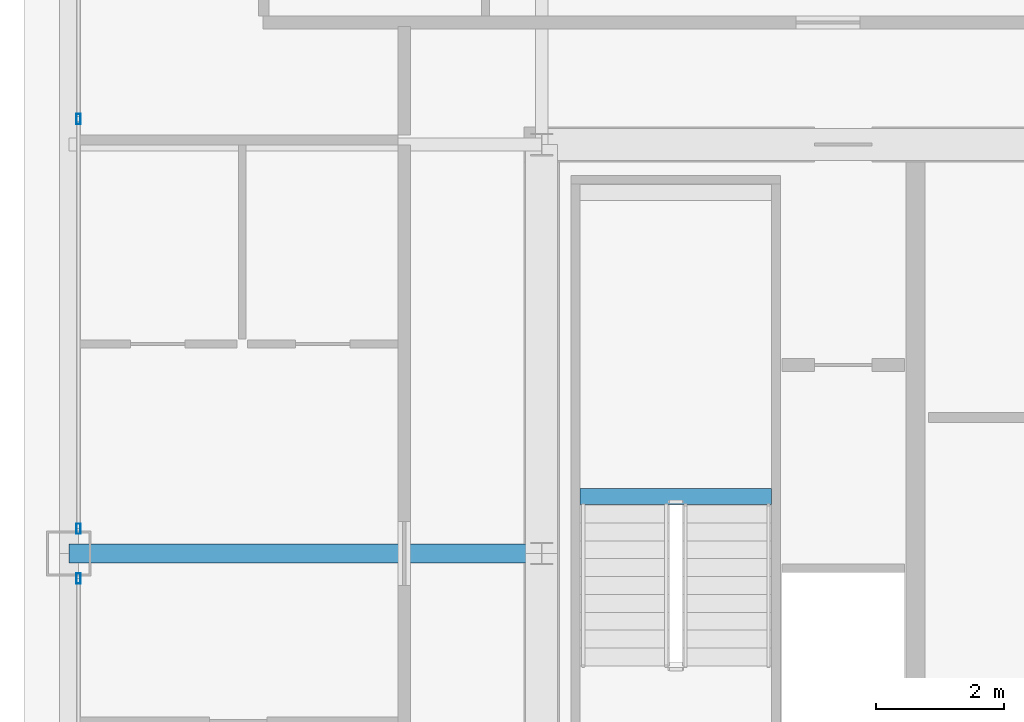
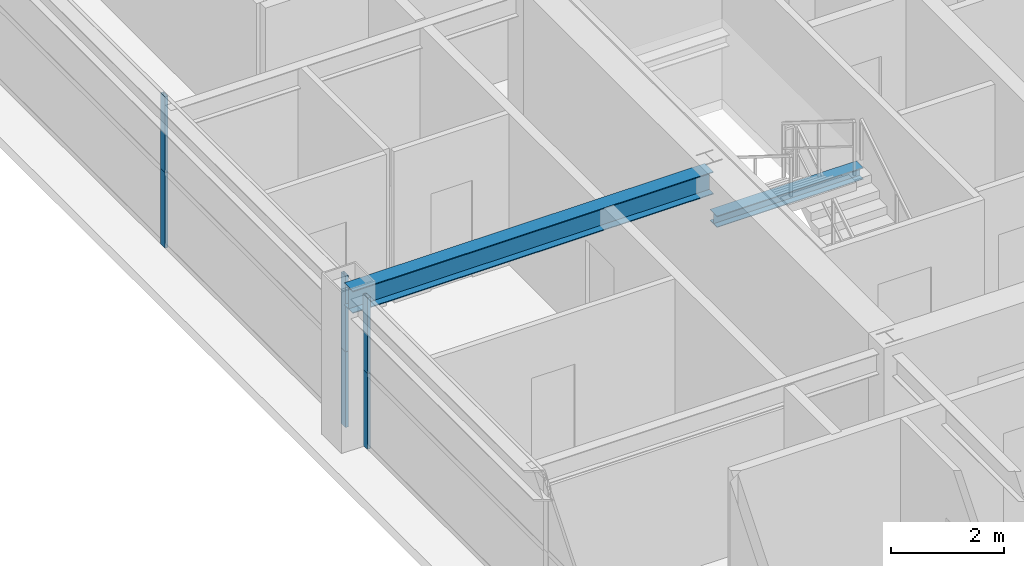
# One storey, part 14 of 37: 6 members, 2 beams, 2 elements without a shape of their own.
"""IFC4 building model written with IfcOpenShell, lengths in metres."""

from ifc_helpers import new_model, si_unit, direction, frame, origin, origin_2d, place, context, subcontext, project, spatial, hollow_rectangle, i_section, extrude, source, transform, mapped, material, layer, layer_set, material_profile, profile_set, type_object, element, aggregate, save


model = new_model("IFC4")

# Units and contexts
model_context = context("Model", 3, precision=1e-05, world=origin(), true_north=direction((0.0, 1.0)))
body_context = subcontext(model_context, "Body", "Model", "MODEL_VIEW")
ifc_project = project(units=[si_unit("LENGTHUNIT", "METRE"), si_unit("AREAUNIT", "SQUARE_METRE"), si_unit("VOLUMEUNIT", "CUBIC_METRE"), si_unit("PLANEANGLEUNIT", "RADIAN"), si_unit("MASSUNIT", "GRAM", prefix="KILO"), si_unit("THERMODYNAMICTEMPERATUREUNIT", "KELVIN"), si_unit("POWERUNIT", "WATT")], contexts=[model_context])

# Site, building, storey
site_placement = place(None, origin())
site = spatial("IfcSite", under=ifc_project, at=site_placement, CompositionType="ELEMENT")
building_placement = place(site_placement, origin())
building = spatial("IfcBuilding", under=site, at=building_placement, Name="Yuzanri Waterfront Tower", CompositionType="ELEMENT")
storey_placement = place(building_placement, frame((0.0, 0.0, 275.10009765625)))
storey = spatial("IfcBuildingStorey", under=building, at=storey_placement, Name="L73", CompositionType="ELEMENT", Elevation=275.10009765625)

# Beam
ifc_material_1 = material(Name="Steel Q355B", Category="steel")
ifc_material_profile_1 = material_profile(ifc_material_1, i_section(OverallWidth=0.300048828125, OverallDepth=0.488037109375, WebThickness=0.010986328125, FlangeThickness=0.01806640625, at=origin_2d()), Name="HM 488x300x11x18")
ifc_profile_set_1 = profile_set([ifc_material_profile_1], Name="Steel Q355B")
beam_type_1 = type_object("IfcBeamType", Name="Primary Floor Girder Q355B HM 488x300", PredefinedType="BEAM", material=ifc_profile_set_1)
shared_shape_1 = source(origin(), body_context, "Body", "SweptSolid", [
    extrude(i_section(OverallWidth=0.300048828125, OverallDepth=0.488037109375, WebThickness=0.010986328125, FlangeThickness=0.01806640625, at=origin_2d()), origin(), (0.0, 0.0, 1.0), 7.400146484375),
])
beam_1_placement = place(storey_placement, frame((23.800048828125, 25.800048828125, 3.035888671875), z_axis=(-1.0, 0.0, 0.0), x_axis=(0.0, -1.0, 0.0)))
element("IfcBeam", 1, at=beam_1_placement, inside=storey, type_object=beam_type_1, Name="L73 West Grid Girder", PredefinedType="BEAM", context=body_context, shape_type="MappedRepresentation", body=[
    mapped(shared_shape_1, transform((0.0, 0.0, 0.0), scale=1.0)),
])

# Curtain wall, members
ifc_material_2 = material(Name="Anodized Architectural Bronze", Category="metal")
ifc_layer = layer(ifc_material_2, 0.159912109375)
ifc_layer_set = layer_set([ifc_layer], Name="Anodized Architectural Bronze")
curtain_wall_type = type_object("IfcCurtainWallType", Name="Anodized Bronze Mid-Rise Residential Acoustic Unitized Curtain Wall 7200", PredefinedType="NOTDEFINED", material=ifc_layer_set)
curtain_wall_1_placement = place(storey_placement, origin())
curtain_wall_1 = element("IfcCurtainWall", 2, at=curtain_wall_1_placement, inside=storey, type_object=curtain_wall_type, Name="L73 Curtain Wall CW-L73-WL", PredefinedType="NOTDEFINED")
ifc_material_3 = material(Name="Anodized Architectural Bronze", Category="metal")
ifc_material_profile_2 = material_profile(ifc_material_3, hollow_rectangle(XDim=0.06494140625, YDim=0.159912109375, WallThickness=0.00341796875, at=origin_2d()), Name="CWM 65x160")
ifc_profile_set_2 = profile_set([ifc_material_profile_2], Name="Anodized Architectural Bronze")
member_type = type_object("IfcMemberType", Name="Anodized Bronze Upper-Zone Curtain-Wall Mullion 65x160", PredefinedType="MULLION", material=ifc_profile_set_2)
shared_shape_2 = source(origin(), body_context, "Body", "SweptSolid", [
    extrude(hollow_rectangle(XDim=0.06494140625, YDim=0.159912109375, WallThickness=0.00341796875, at=origin_2d()), origin(), (0.0, 0.0, 1.0), 1.637939453125),
])
member_1_placement = place(storey_placement, frame((16.550048828125, 25.409912109375, 0.0), z_axis=(0.0, 0.0, 1.0), x_axis=(1.0, 0.0, 0.0)))
member_1 = element("IfcMember", 3, at=member_1_placement, type_object=member_type, Name="CW-L73-WL Lower Mullion 02", PredefinedType="MULLION", context=body_context, shape_type="MappedRepresentation", body=[
    mapped(shared_shape_2, transform((0.0, 0.0, 0.0), scale=1.0)),
])
member_2_placement = place(storey_placement, frame((16.550048828125, 25.409912109375, 1.641845703125), z_axis=(0.0, 0.0, 1.0), x_axis=(1.0, 0.0, 0.0)))
member_2 = element("IfcMember", 4, at=member_2_placement, type_object=member_type, Name="CW-L73-WL Upper Mullion 02", PredefinedType="MULLION", context=body_context, shape_type="MappedRepresentation", body=[
    mapped(shared_shape_2, transform((0.0, 0.0, 0.0), scale=1.0)),
])
aggregate(curtain_wall_1, [member_1, member_2])

curtain_wall_2_placement = place(storey_placement, origin())
curtain_wall_2 = element("IfcCurtainWall", 5, at=curtain_wall_2_placement, inside=storey, type_object=curtain_wall_type, Name="L73 Curtain Wall CW-L73-WR", PredefinedType="NOTDEFINED")
member_3_placement = place(storey_placement, frame((16.550048828125, 26.18994140625, 0.0), z_axis=(0.0, 0.0, 1.0), x_axis=(1.0, 0.0, 0.0)))
member_3 = element("IfcMember", 6, at=member_3_placement, type_object=member_type, Name="CW-L73-WR Lower Mullion 00", PredefinedType="MULLION", context=body_context, shape_type="MappedRepresentation", body=[
    mapped(shared_shape_2, transform((0.0, 0.0, 0.0), scale=1.0)),
])
member_4_placement = place(storey_placement, frame((16.550048828125, 26.18994140625, 1.641845703125), z_axis=(0.0, 0.0, 1.0), x_axis=(1.0, 0.0, 0.0)))
member_4 = element("IfcMember", 7, at=member_4_placement, type_object=member_type, Name="CW-L73-WR Upper Mullion 00", PredefinedType="MULLION", context=body_context, shape_type="MappedRepresentation", body=[
    mapped(shared_shape_2, transform((0.0, 0.0, 0.0), scale=1.0)),
])
member_5_placement = place(storey_placement, frame((16.550048828125, 32.60009765625, 0.0), z_axis=(0.0, 0.0, 1.0), x_axis=(1.0, 0.0, 0.0)))
member_5 = element("IfcMember", 8, at=member_5_placement, type_object=member_type, Name="CW-L73-WR Lower Mullion 01", PredefinedType="MULLION", context=body_context, shape_type="MappedRepresentation", body=[
    mapped(shared_shape_2, transform((0.0, 0.0, 0.0), scale=1.0)),
])
member_6_placement = place(storey_placement, frame((16.550048828125, 32.60009765625, 1.641845703125), z_axis=(0.0, 0.0, 1.0), x_axis=(1.0, 0.0, 0.0)))
member_6 = element("IfcMember", 9, at=member_6_placement, type_object=member_type, Name="CW-L73-WR Upper Mullion 01", PredefinedType="MULLION", context=body_context, shape_type="MappedRepresentation", body=[
    mapped(shared_shape_2, transform((0.0, 0.0, 0.0), scale=1.0)),
])
aggregate(curtain_wall_2, [member_3, member_4, member_5, member_6])

# Beam
ifc_material_4 = material(Name="Steel Q355B", Category="steel")
ifc_material_profile_3 = material_profile(ifc_material_4, i_section(OverallWidth=0.25, OverallDepth=0.25, WebThickness=0.009033203125, FlangeThickness=0.013916015625, at=origin_2d()), Name="HW 250x250x9x14")
ifc_profile_set_3 = profile_set([ifc_material_profile_3], Name="Steel Q355B")
beam_type_2 = type_object("IfcBeamType", Name="Stair Landing Support Beam Q355B HW 250x250", PredefinedType="BEAM", material=ifc_profile_set_3)
shared_shape_3 = source(origin(), body_context, "Body", "SweptSolid", [
    extrude(i_section(OverallWidth=0.25, OverallDepth=0.25, WebThickness=0.009033203125, FlangeThickness=0.013916015625, at=origin_2d()), origin(), (0.0, 0.0, 1.0), 3.0),
])
beam_2_placement = place(storey_placement, frame((24.39990234375, 26.68994140625, 1.4248046875), z_axis=(1.0, 0.0, 0.0), x_axis=(0.0, 1.0, 0.0)))
element("IfcBeam", 10, at=beam_2_placement, inside=storey, type_object=beam_type_2, Name="L73 Stair Landing Support Beam ST-01-L73-L1-1", PredefinedType="BEAM", context=body_context, shape_type="MappedRepresentation", body=[
    mapped(shared_shape_3, transform((0.0, 0.0, 0.0), scale=1.0)),
])

save(model, "model.ifc")
